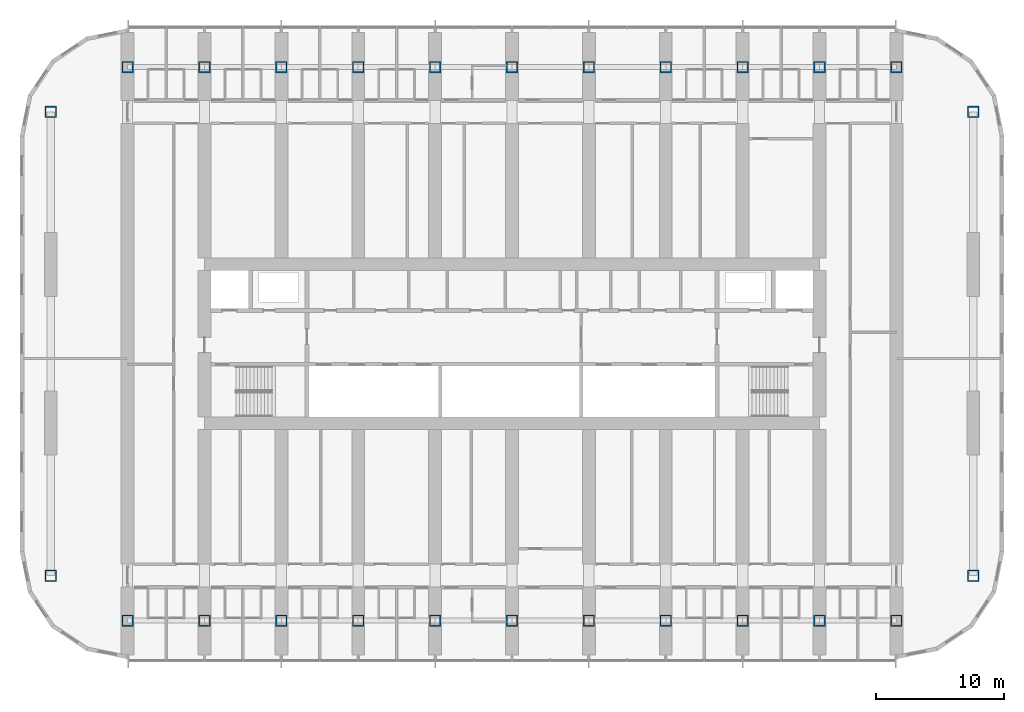
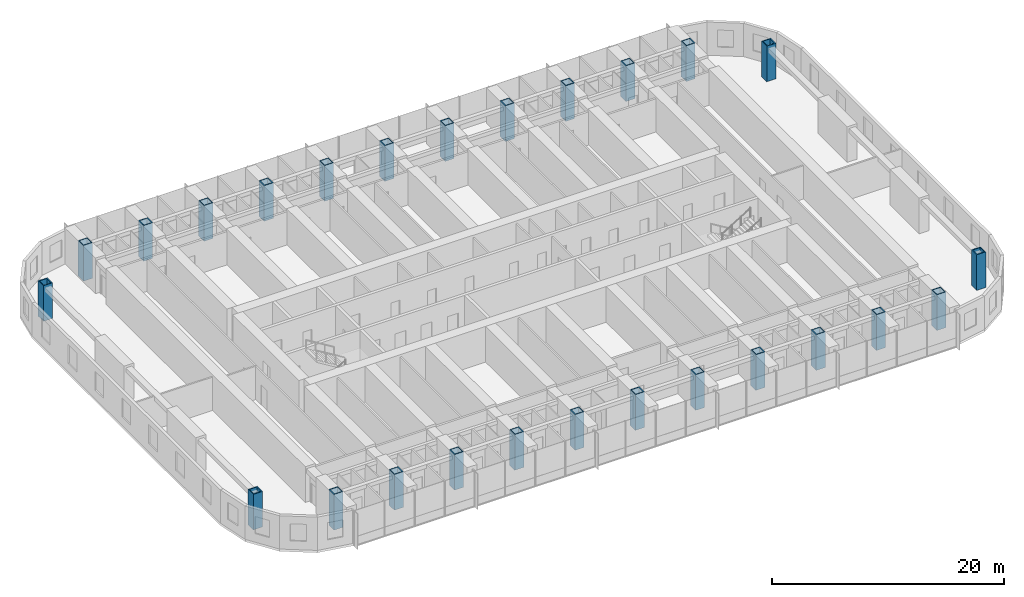
# One storey, part 1 of 25: 26 columns.
"""IFC4 building model written with IfcOpenShell, lengths in metres."""

from ifc_helpers import new_model, si_unit, direction, frame, origin, origin_2d, place, context, subcontext, project, spatial, hollow_rectangle, extrude, material, material_profile, profile_set, type_object, element, save


model = new_model("IFC4")

# Units and contexts
model_context = context("Model", 3, precision=1e-05, world=origin(), true_north=direction((0.0, 1.0)))
body_context = subcontext(model_context, "Body", "Model", "MODEL_VIEW")
ifc_project = project(units=[si_unit("LENGTHUNIT", "METRE"), si_unit("AREAUNIT", "SQUARE_METRE"), si_unit("VOLUMEUNIT", "CUBIC_METRE"), si_unit("PLANEANGLEUNIT", "RADIAN"), si_unit("MASSUNIT", "GRAM", prefix="KILO")], contexts=[model_context])

# Site, building, storey
site_placement = place(None, origin())
site = spatial("IfcSite", under=ifc_project, at=site_placement, CompositionType="ELEMENT")
building_placement = place(site_placement, origin())
building = spatial("IfcBuilding", under=site, at=building_placement, Name="Orbita Commons", CompositionType="ELEMENT")
storey_placement = place(building_placement, frame((0.0, 0.0, 31.449951171875)))
storey = spatial("IfcBuildingStorey", under=building, at=storey_placement, Name="L07", CompositionType="ELEMENT", Elevation=31.449951171875)

# Columns
ifc_material = material(Name="Steel ASTM A572 Gr 50 welded plate", Category="steel")
ifc_material_profile = material_profile(ifc_material, hollow_rectangle(XDim=0.89990234375, YDim=0.89990234375, WallThickness=0.090087890625, at=origin_2d()), Name="BOX 900x900x90")
ifc_profile_set = profile_set([ifc_material_profile], Name="Steel ASTM A572 Gr 50 welded plate")
column_type = type_object("IfcColumnType", Name="Steel column BOX 900x900x90", PredefinedType="COLUMN", material=ifc_profile_set)
for number, where, z_axis, x_axis, name in (
    (1, (12.0, 10.39990234375, 0.0), (0.0, 0.0, 1.0), (1.0, 0.0, 0.0), "Column 3/B L07"),
    (2, (12.0, 53.60009765625, 0.0), (0.0, 0.0, 1.0), (1.0, 0.0, 0.0), "Column 3/E L07"),
    (3, (18.0, 10.39990234375, 0.0), (0.0, 0.0, 1.0), (1.0, 0.0, 0.0), "Column 4/B L07"),
    (4, (18.0, 53.60009765625, 0.0), (0.0, 0.0, 1.0), (1.0, 0.0, 0.0), "Column 4/E L07"),
    (5, (24.0, 10.39990234375, 0.0), (0.0, 0.0, 1.0), (1.0, 0.0, 0.0), "Column 5/B L07"),
    (6, (24.0, 53.60009765625, 0.0), (0.0, 0.0, 1.0), (1.0, 0.0, 0.0), "Column 5/E L07"),
    (7, (30.0, 10.39990234375, 0.0), (0.0, 0.0, 1.0), (1.0, 0.0, 0.0), "Column 6/B L07"),
    (8, (30.0, 53.60009765625, 0.0), (0.0, 0.0, 1.0), (1.0, 0.0, 0.0), "Column 6/E L07"),
    (9, (36.0, 10.39990234375, 0.0), (0.0, 0.0, 1.0), (1.0, 0.0, 0.0), "Column 7/B L07"),
    (10, (36.0, 53.60009765625, 0.0), (0.0, 0.0, 1.0), (1.0, 0.0, 0.0), "Column 7/E L07"),
    (11, (42.0, 10.39990234375, 0.0), (0.0, 0.0, 1.0), (1.0, 0.0, 0.0), "Column 8/B L07"),
    (12, (42.0, 53.60009765625, 0.0), (0.0, 0.0, 1.0), (1.0, 0.0, 0.0), "Column 8/E L07"),
    (13, (48.0, 10.39990234375, 0.0), (0.0, 0.0, 1.0), (1.0, 0.0, 0.0), "Column 9/B L07"),
    (14, (48.0, 53.60009765625, 0.0), (0.0, 0.0, 1.0), (1.0, 0.0, 0.0), "Column 9/E L07"),
    (15, (54.0, 10.39990234375, 0.0), (0.0, 0.0, 1.0), (1.0, 0.0, 0.0), "Column 10/B L07"),
    (16, (54.0, 53.60009765625, 0.0), (0.0, 0.0, 1.0), (1.0, 0.0, 0.0), "Column 10/E L07"),
    (17, (60.0, 10.39990234375, 0.0), (0.0, 0.0, 1.0), (1.0, 0.0, 0.0), "Column 11/B L07"),
    (18, (60.0, 53.60009765625, 0.0), (0.0, 0.0, 1.0), (1.0, 0.0, 0.0), "Column 11/E L07"),
    (19, (66.0, 10.39990234375, 0.0), (0.0, 0.0, 1.0), (1.0, 0.0, 0.0), "Column 12/B L07"),
    (20, (66.0, 53.60009765625, 0.0), (0.0, 0.0, 1.0), (1.0, 0.0, 0.0), "Column 12/E L07"),
    (21, (72.0, 10.39990234375, 0.0), (0.0, 0.0, 1.0), (1.0, 0.0, 0.0), "Column 13/B L07"),
    (22, (72.0, 53.60009765625, 0.0), (0.0, 0.0, 1.0), (1.0, 0.0, 0.0), "Column 13/E L07"),
    (23, (6.0, 13.89990234375, 0.0), (0.0, 0.0, 1.0), (1.0, 0.0, 0.0), "Column 2/13.9 L07"),
    (24, (6.0, 50.10009765625, 0.0), (0.0, 0.0, 1.0), (1.0, 0.0, 0.0), "Column 2/50.1 L07"),
    (25, (78.0, 13.89990234375, 0.0), (0.0, 0.0, 1.0), (1.0, 0.0, 0.0), "Column 14/13.9 L07"),
    (26, (78.0, 50.10009765625, 0.0), (0.0, 0.0, 1.0), (1.0, 0.0, 0.0), "Column 14/50.1 L07"),
):
    element("IfcColumn", number, at=place(storey_placement, frame(where, z_axis=z_axis, x_axis=x_axis)), inside=storey, type_object=column_type, Name=name, PredefinedType="COLUMN", context=body_context, shape_type="SweptSolid", body=[
        extrude(hollow_rectangle(XDim=0.89990234375, YDim=0.89990234375, WallThickness=0.090087890625, at=origin_2d()), origin(), (0.0, 0.0, 1.0), 3.75),
    ])

save(model, "model.ifc")
